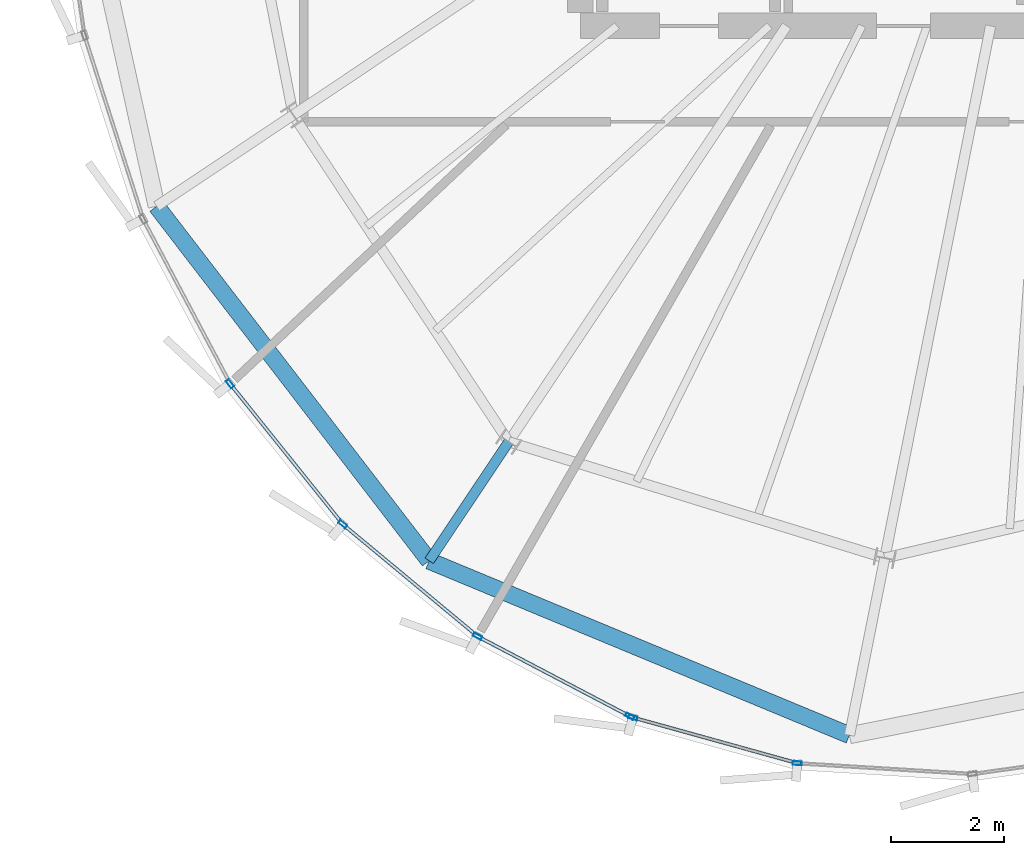
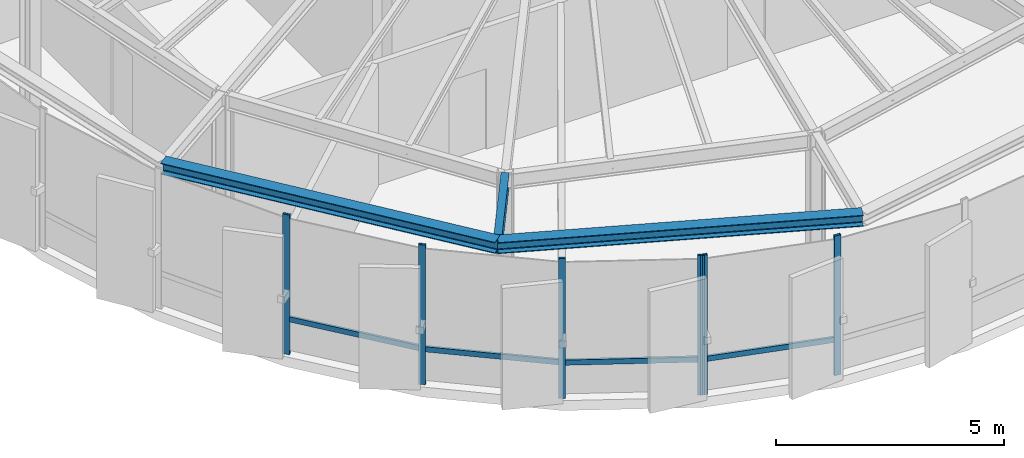
# One storey, part 2 of 27: 10 members, 3 beams, 2 elements without a shape of their own.
"""IFC4 building model written with IfcOpenShell, lengths in metres."""

from ifc_helpers import new_model, si_unit, direction, frame, origin, origin_2d, place, context, subcontext, project, spatial, hollow_rectangle, i_section, extrude, source, transform, mapped, material, layer, layer_set, material_profile, profile_set, type_object, element, aggregate, save


model = new_model("IFC4")

# Units and contexts
model_context = context("Model", 3, precision=1e-05, world=origin(), true_north=direction((0.0, 1.0)))
body_context = subcontext(model_context, "Body", "Model", "MODEL_VIEW")
ifc_project = project(units=[si_unit("LENGTHUNIT", "METRE"), si_unit("AREAUNIT", "SQUARE_METRE"), si_unit("VOLUMEUNIT", "CUBIC_METRE"), si_unit("PLANEANGLEUNIT", "RADIAN"), si_unit("MASSUNIT", "GRAM", prefix="KILO"), si_unit("THERMODYNAMICTEMPERATUREUNIT", "KELVIN")], contexts=[model_context])

# Site, building, storey
site_placement = place(None, origin())
site = spatial("IfcSite", under=ifc_project, at=site_placement, CompositionType="ELEMENT")
building_placement = place(site_placement, origin())
building = spatial("IfcBuilding", under=site, at=building_placement, Name="Kethvar Cultural Tower", CompositionType="ELEMENT")
storey_placement = place(building_placement, frame((0.0, 0.0, 308.300048828125)))
storey = spatial("IfcBuildingStorey", under=building, at=storey_placement, Name="L82", CompositionType="ELEMENT", Elevation=308.300048828125)

# Beams
ifc_material_1 = material(Name="Steel S355J2", Category="steel")
ifc_material_profile_1 = material_profile(ifc_material_1, i_section(OverallWidth=0.179931640625, OverallDepth=0.39990234375, WebThickness=0.008544921875, FlangeThickness=0.013427734375, FilletRadius=0.02099609375, at=origin_2d()), Name="Steel S355J2 — IPE400")
ifc_profile_set_1 = profile_set([ifc_material_profile_1], Name="Steel S355J2 — IPE400")
beam_type_1 = type_object("IfcBeamType", Name="BM-IPE400", PredefinedType="BEAM", material=ifc_profile_set_1)
shared_shape_1 = source(origin(), body_context, "Body", "SweptSolid", [
    extrude(i_section(OverallWidth=0.179931640625, OverallDepth=0.39990234375, WebThickness=0.008544921875, FlangeThickness=0.013427734375, FilletRadius=0.02099609375, at=origin_2d()), origin(), (0.0, 0.0, 1.0), 2.5361328125),
])
beam_1_placement = place(storey_placement, frame((36.731201171875, 12.73095703125, 3.532958984375), z_axis=(-0.555632862843, -0.83142776098, 0.0), x_axis=(0.83142776098, -0.555632862843, 0.0)))
element("IfcBeam", 1, at=beam_1_placement, inside=storey, type_object=beam_type_1, Name="L82 Perimeter Cantilever Beam RC-11", PredefinedType="BEAM", context=body_context, shape_type="MappedRepresentation", body=[
    mapped(shared_shape_1, transform((0.0, 0.0, 0.0), scale=1.0)),
])
ifc_material_profile_2 = material_profile(ifc_material_1, i_section(OverallWidth=0.300048828125, OverallDepth=0.300048828125, WebThickness=0.010986328125, FlangeThickness=0.01904296875, FilletRadius=0.027099609375, at=origin_2d()), Name="Steel S355J2 — HEB300")
ifc_profile_set_2 = profile_set([ifc_material_profile_2], Name="Steel S355J2 — HEB300")
beam_type_2 = type_object("IfcBeamType", Name="BM-SP300", PredefinedType="SPANDREL", material=ifc_profile_set_2)
shared_shape_2 = source(origin(), body_context, "Body", "SweptSolid", [
    extrude(i_section(OverallWidth=0.300048828125, OverallDepth=0.300048828125, WebThickness=0.010986328125, FlangeThickness=0.01904296875, FilletRadius=0.027099609375, at=origin_2d()), origin(), (0.0, 0.0, 1.0), 7.92333984375),
])
beam_2_placement = place(storey_placement, frame((30.4931640625, 16.904052734375, 3.5830078125), z_axis=(0.609453112461, -0.792822113536, 0.0), x_axis=(0.792822113536, 0.609453112461, 0.0)))
element("IfcBeam", 2, at=beam_2_placement, inside=storey, type_object=beam_type_2, Name="L82 Perimeter Spandrel Beam SP-10", PredefinedType="SPANDREL", context=body_context, shape_type="MappedRepresentation", body=[
    mapped(shared_shape_2, transform((0.0, 0.0, 0.0), scale=1.0)),
])
shared_shape_3 = source(origin(), body_context, "Body", "SweptSolid", [
    extrude(i_section(OverallWidth=0.300048828125, OverallDepth=0.300048828125, WebThickness=0.010986328125, FlangeThickness=0.01904296875, FilletRadius=0.027099609375, at=origin_2d()), origin(), (0.0, 0.0, 1.0), 8.06201171875),
])
beam_3_placement = place(storey_placement, frame((35.322021484375, 10.622314453125, 3.5830078125), z_axis=(0.923653761797, -0.383228036967, 0.0), x_axis=(0.383228036967, 0.923653761797, 0.0)))
element("IfcBeam", 3, at=beam_3_placement, inside=storey, type_object=beam_type_2, Name="L82 Perimeter Spandrel Beam SP-11", PredefinedType="SPANDREL", context=body_context, shape_type="MappedRepresentation", body=[
    mapped(shared_shape_3, transform((0.0, 0.0, 0.0), scale=1.0)),
])

# Curtain wall, members
ifc_material_2 = material(Name="Aluminium 6063-T6", Category="aluminium")
ifc_layer = layer(ifc_material_2, 0.179931640625, Name="Aluminium 6063-T6", Category="aluminium")
ifc_layer_set = layer_set([ifc_layer], Name="Aluminium 6063-T6 (180 mm)")
curtain_wall_type = type_object("IfcCurtainWallType", Name="CW-SYS-06-CROWN", PredefinedType="NOTDEFINED", material=ifc_layer_set)
curtain_wall_1_placement = place(storey_placement, origin())
curtain_wall_1 = element("IfcCurtainWall", 4, at=curtain_wall_1_placement, inside=storey, type_object=curtain_wall_type, Name="L82 Curtain Wall Run 03", PredefinedType="NOTDEFINED")
ifc_material_profile_3 = material_profile(ifc_material_2, hollow_rectangle(XDim=0.06494140625, YDim=0.159912109375, WallThickness=0.0048828125, at=origin_2d()), Name="Aluminium 6063-T6 — RHS160x65x5")
ifc_profile_set_3 = profile_set([ifc_material_profile_3], Name="Aluminium 6063-T6 — RHS160x65x5")
member_type_1 = type_object("IfcMemberType", Name="CW-SYS-06-CROWN-MUL", PredefinedType="MULLION", material=ifc_profile_set_3)
shared_shape_4 = source(origin(), body_context, "Body", "SweptSolid", [
    extrude(hollow_rectangle(XDim=0.06494140625, YDim=0.159912109375, WallThickness=0.0048828125, at=origin_2d()), origin(), (0.0, 0.0, 1.0), 3.73486328125),
])
member_1_placement = place(storey_placement, frame((31.79443359375, 13.759521484375, 0.0), z_axis=(0.0, 0.0, 1.0), x_axis=(0.779698733535, 0.626154841014, 0.0)))
member_1 = element("IfcMember", 5, at=member_1_placement, type_object=member_type_1, Name="CW-L82-R03 Mullion 4", PredefinedType="MULLION", context=body_context, shape_type="MappedRepresentation", body=[
    mapped(shared_shape_4, transform((0.0, 0.0, 0.0), scale=1.0)),
])
member_2_placement = place(storey_placement, frame((33.790283203125, 11.2705078125, 0.0), z_axis=(0.0, 0.0, 1.0), x_axis=(0.638754388863, 0.769410703531, 0.0)))
member_2 = element("IfcMember", 6, at=member_2_placement, type_object=member_type_1, Name="CW-L82-R03 Mullion 5", PredefinedType="MULLION", context=body_context, shape_type="MappedRepresentation", body=[
    mapped(shared_shape_4, transform((0.0, 0.0, 0.0), scale=1.0)),
])
member_3_placement = place(storey_placement, frame((36.1796875, 9.283447265625, 0.0), z_axis=(0.0, 0.0, 1.0), x_axis=(0.464733871018, 0.885450410316, 0.0)))
member_3 = element("IfcMember", 7, at=member_3_placement, type_object=member_type_1, Name="CW-L82-R03 Mullion 6", PredefinedType="MULLION", context=body_context, shape_type="MappedRepresentation", body=[
    mapped(shared_shape_4, transform((0.0, 0.0, 0.0), scale=1.0)),
])
member_4_placement = place(storey_placement, frame((38.876708984375, 7.867919921875, 0.0), z_axis=(0.0, 0.0, 1.0), x_axis=(0.464733871018, 0.885450410316, 0.0)))
member_4 = element("IfcMember", 8, at=member_4_placement, type_object=member_type_1, Name="CW-L82-R03 Mullion 7", PredefinedType="MULLION", context=body_context, shape_type="MappedRepresentation", body=[
    mapped(shared_shape_4, transform((0.0, 0.0, 0.0), scale=1.0)),
])

curtain_wall_2_placement = place(storey_placement, origin())
curtain_wall_2 = element("IfcCurtainWall", 9, at=curtain_wall_2_placement, inside=storey, type_object=curtain_wall_type, Name="L82 Curtain Wall Run 04", PredefinedType="NOTDEFINED")
member_5_placement = place(storey_placement, frame((38.93115234375, 7.84619140625, 0.0), z_axis=(0.0, 0.0, 1.0), x_axis=(0.267356103753, 0.96359779669, 0.0)))
member_5 = element("IfcMember", 10, at=member_5_placement, type_object=member_type_1, Name="CW-L82-R04 Mullion 1", PredefinedType="MULLION", context=body_context, shape_type="MappedRepresentation", body=[
    mapped(shared_shape_4, transform((0.0, 0.0, 0.0), scale=1.0)),
])
member_6_placement = place(storey_placement, frame((41.841796875, 7.035888671875, 0.0), z_axis=(0.0, 0.0, 1.0), x_axis=(0.061065960264, 0.998133732772, 0.0)))
member_6 = element("IfcMember", 11, at=member_6_placement, type_object=member_type_1, Name="CW-L82-R04 Mullion 2", PredefinedType="MULLION", context=body_context, shape_type="MappedRepresentation", body=[
    mapped(shared_shape_4, transform((0.0, 0.0, 0.0), scale=1.0)),
])

# Member
ifc_material_profile_4 = material_profile(ifc_material_2, hollow_rectangle(XDim=0.06005859375, YDim=0.139892578125, WallThickness=0.0048828125, at=origin_2d()), Name="Aluminium 6063-T6 — RHS140x60x5")
ifc_profile_set_4 = profile_set([ifc_material_profile_4], Name="Aluminium 6063-T6 — RHS140x60x5")
member_type_2 = type_object("IfcMemberType", Name="CW-SYS-06-CROWN-TRN", PredefinedType="USERDEFINED", material=ifc_profile_set_4)
shared_shape_5 = source(origin(), body_context, "Body", "SweptSolid", [
    extrude(hollow_rectangle(XDim=0.06005859375, YDim=0.139892578125, WallThickness=0.0048828125, at=origin_2d()), origin(), (0.0, 0.0, 1.0), 3.12060546875),
])
member_7_placement = place(storey_placement, frame((31.82373046875, 13.722900390625, 0.949951171875), z_axis=(0.626182260615, -0.779676712805, 0.0), x_axis=(0.779676712805, 0.626182260615, 0.0)))
member_7 = element("IfcMember", 12, at=member_7_placement, type_object=member_type_2, Name="CW-L82-R03 Transom 4", ObjectType="TRANSOM", PredefinedType="USERDEFINED", context=body_context, shape_type="MappedRepresentation", body=[
    mapped(shared_shape_5, transform((0.0, 0.0, 0.0), scale=1.0)),
])

shared_shape_6 = source(origin(), body_context, "Body", "SweptSolid", [
    extrude(hollow_rectangle(XDim=0.06005859375, YDim=0.139892578125, WallThickness=0.0048828125, at=origin_2d()), origin(), (0.0, 0.0, 1.0), 3.038818359375),
])
member_8_placement = place(storey_placement, frame((33.826171875, 11.240478515625, 0.949951171875), z_axis=(0.769398709651, -0.638768835798, 0.0), x_axis=(0.638768835798, 0.769398709651, 0.0)))
member_8 = element("IfcMember", 13, at=member_8_placement, type_object=member_type_2, Name="CW-L82-R03 Transom 5", ObjectType="TRANSOM", PredefinedType="USERDEFINED", context=body_context, shape_type="MappedRepresentation", body=[
    mapped(shared_shape_6, transform((0.0, 0.0, 0.0), scale=1.0)),
])

shared_shape_7 = source(origin(), body_context, "Body", "SweptSolid", [
    extrude(hollow_rectangle(XDim=0.06005859375, YDim=0.139892578125, WallThickness=0.0048828125, at=origin_2d()), origin(), (0.0, 0.0, 1.0), 2.994873046875),
])
member_9_placement = place(storey_placement, frame((36.220947265625, 9.26171875, 0.949951171875), z_axis=(0.885449899552, -0.464734844167, 0.0), x_axis=(0.464734844167, 0.885449899552, 0.0)))
member_9 = element("IfcMember", 14, at=member_9_placement, type_object=member_type_2, Name="CW-L82-R03 Transom 6", ObjectType="TRANSOM", PredefinedType="USERDEFINED", context=body_context, shape_type="MappedRepresentation", body=[
    mapped(shared_shape_7, transform((0.0, 0.0, 0.0), scale=1.0)),
])

aggregate(curtain_wall_1, [member_1, member_2, member_3, member_4, member_7, member_8, member_9])

member_10_placement = place(storey_placement, frame((38.935546875, 7.844970703125, 0.949951171875), z_axis=(0.96358795267, -0.267391580775, 0.0), x_axis=(0.267391580775, 0.96358795267, 0.0)))
member_10 = element("IfcMember", 15, at=member_10_placement, type_object=member_type_2, Name="CW-L82-R04 Transom 1", ObjectType="TRANSOM", PredefinedType="USERDEFINED", context=body_context, shape_type="MappedRepresentation", body=[
    mapped(shared_shape_7, transform((0.0, 0.0, 0.0), scale=1.0)),
])

aggregate(curtain_wall_2, [member_5, member_6, member_10])

save(model, "model.ifc")
